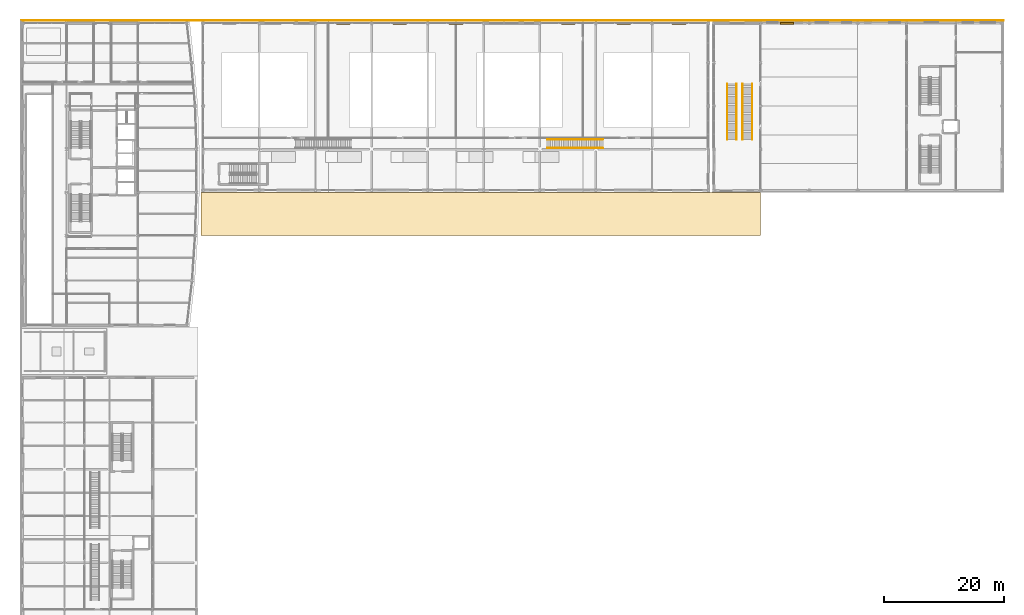
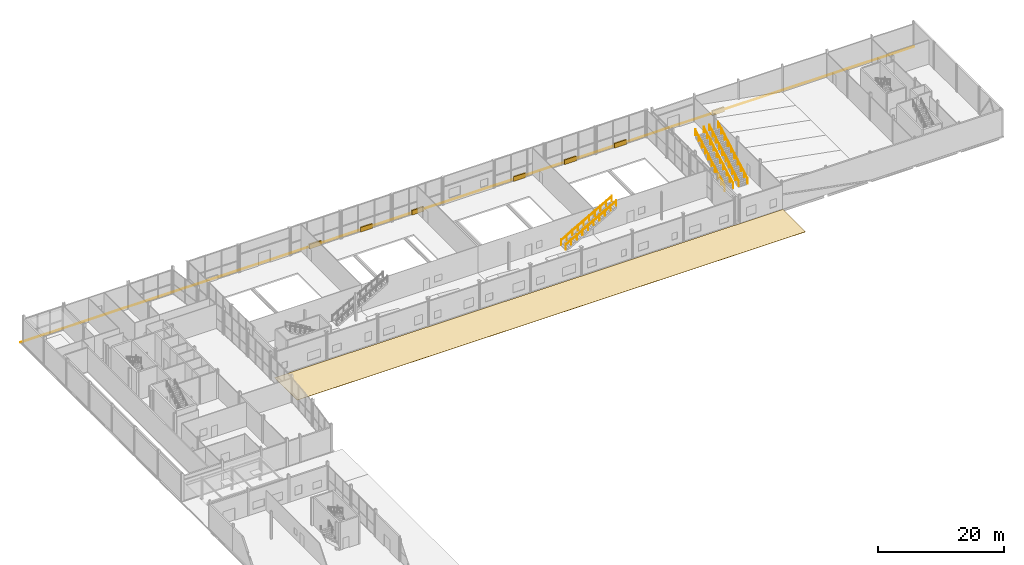
# One storey, part 82 of 83: 12 railings, 7 shading devices, 2 coverings.
"""IFC4 building model written with IfcOpenShell, lengths in metres."""

from ifc_helpers import new_model, si_unit, direction, frame, origin, origin_2d, place, context, subcontext, project, spatial, polyline, rectangle, circle, outline, extrude, material, layer, layer_set, type_object, element, save


model = new_model("IFC4")

# Units and contexts
model_context = context("Model", 3, precision=1e-05, world=origin(), true_north=direction((0.0, 1.0)))
body_context = subcontext(model_context, "Body", "Model", "MODEL_VIEW")
ifc_project = project(units=[si_unit("LENGTHUNIT", "METRE"), si_unit("AREAUNIT", "SQUARE_METRE"), si_unit("VOLUMEUNIT", "CUBIC_METRE"), si_unit("PLANEANGLEUNIT", "RADIAN"), si_unit("MASSUNIT", "GRAM", prefix="KILO")], contexts=[model_context])

# Site, building, storey
site_placement = place(None, origin())
site = spatial("IfcSite", under=ifc_project, at=site_placement, CompositionType="ELEMENT")
building_placement = place(site_placement, origin())
building = spatial("IfcBuilding", under=site, at=building_placement, Name="Quillay Park Conservatory", CompositionType="ELEMENT")
storey_placement = place(building_placement, origin())
storey = spatial("IfcBuildingStorey", under=building, at=storey_placement, Name="L00", CompositionType="ELEMENT", Elevation=0.0)

# Coverings
ifc_material_1 = material(Name="Concrete C35/45 (NCh170 Concrete C35/45)", Category="concrete")
ifc_layer = layer(ifc_material_1, 0.0400390625)
ifc_layer_set = layer_set([ifc_layer], Name="FORECOURT GRANITE PAVING 40 (Concrete C35/45 (NCh170 Concrete C35/45))")
covering_type = type_object("IfcCoveringType", Name="FORECOURT GRANITE PAVING 40", PredefinedType="FLOORING", material=ifc_layer_set)
covering_1_placement = place(storey_placement, frame((0.0, 0.0, -0.0400390625)))
element("IfcCovering", 1, at=covering_1_placement, inside=storey, type_object=covering_type, Name="L00 North Park Promenade Threshold Paving", PredefinedType="FLOORING", context=body_context, shape_type="SweptSolid", body=[
    extrude(outline(polyline([(0.25, 113.800048828125), (164.199951171875, 113.800048828125), (164.199951171875, 113.93994140625), (0.25, 113.93994140625), (0.25, 113.800048828125)])), origin(), (0.0, 0.0, 1.0), 0.0400390625),
])
covering_2_placement = place(storey_placement, frame((0.0, 0.0, -0.0400390625)))
element("IfcCovering", 2, at=covering_2_placement, inside=storey, type_object=covering_type, Name="L00 Andean Botanical Court Promenade Paving", PredefinedType="FLOORING", context=body_context, shape_type="SweptSolid", body=[
    extrude(outline(polyline([(30.300048828125, 78.0), (123.60009765625, 78.0), (123.60009765625, 85.199951171875), (30.300048828125, 85.199951171875), (30.300048828125, 78.0)])), origin(), (0.0, 0.0, 1.0), 0.0400390625),
])

# Railings
ifc_material_2 = material(Name="Steel S355J2H", Category="steel")
railing_type_1 = type_object("IfcRailingType", Name="STAIR WALL HANDRAIL 900", PredefinedType="HANDRAIL", material=ifc_material_2)
for number, where, name in (
    (3, (88.0, 92.574951171875, 0.168701171875), "ST-FT02-L00 Feature Stair Handrail L"),
    (4, (88.0, 94.02490234375, 0.168701171875), "ST-FT02-L00 Feature Stair Handrail R"),
):
    element("IfcRailing", number, at=place(storey_placement, frame(where)), inside=storey, type_object=railing_type_1, Name=name, PredefinedType="HANDRAIL", context=body_context, shape_type="SweptSolid", body=[
        extrude(circle(Radius=0.02392578125, at=origin_2d()), frame((0.0, 0.0, 0.8759765625), z_axis=(0.871578592338, 0.0, 0.490255808102), x_axis=(0.0, 1.0, 0.0)), (0.0, 0.0, 1.0), 10.67041015625),
        extrude(circle(Radius=0.02099609375, at=origin_2d()), origin(), (0.0, 0.0, 1.0), 0.851806640625),
        extrude(circle(Radius=0.02099609375, at=origin_2d()), frame((1.033447265625, 0.0, 0.581298828125)), (0.0, 0.0, 1.0), 0.851806640625),
        extrude(circle(Radius=0.02099609375, at=origin_2d()), frame((2.066650390625, 0.0, 1.16259765625)), (0.0, 0.0, 1.0), 0.851806640625),
        extrude(circle(Radius=0.02099609375, at=origin_2d()), frame((3.10009765625, 0.0, 1.74365234375)), (0.0, 0.0, 1.0), 0.851806640625),
        extrude(circle(Radius=0.02099609375, at=origin_2d()), frame((4.13330078125, 0.0, 2.324951171875)), (0.0, 0.0, 1.0), 0.851806640625),
        extrude(circle(Radius=0.02099609375, at=origin_2d()), frame((5.166748046875, 0.0, 2.90625)), (0.0, 0.0, 1.0), 0.851806640625),
        extrude(circle(Radius=0.02099609375, at=origin_2d()), frame((6.199951171875, 0.0, 3.487548828125)), (0.0, 0.0, 1.0), 0.851806640625),
        extrude(circle(Radius=0.02099609375, at=origin_2d()), frame((7.2333984375, 0.0, 4.068603515625)), (0.0, 0.0, 1.0), 0.851806640625),
        extrude(circle(Radius=0.02099609375, at=origin_2d()), frame((8.2666015625, 0.0, 4.64990234375)), (0.0, 0.0, 1.0), 0.851806640625),
        extrude(circle(Radius=0.02099609375, at=origin_2d()), frame((9.300048828125, 0.0, 5.231201171875)), (0.0, 0.0, 1.0), 0.851806640625),
    ])
for number, where, name in (
    (5, (119.574951171875, 94.0, 0.168701171875), "ST-FT05-L00 Feature Stair Handrail L"),
    (6, (118.02490234375, 94.0, 0.168701171875), "ST-FT05-L00 Feature Stair Handrail R"),
    (7, (122.199951171875, 94.0, 0.168701171875), "ST-FT06-L00 Feature Stair Handrail L"),
    (8, (120.60009765625, 94.0, 0.168701171875), "ST-FT06-L00 Feature Stair Handrail R"),
):
    element("IfcRailing", number, at=place(storey_placement, frame(where)), inside=storey, type_object=railing_type_1, Name=name, PredefinedType="HANDRAIL", context=body_context, shape_type="SweptSolid", body=[
        extrude(circle(Radius=0.02392578125, at=origin_2d()), frame((0.0, 0.0, 0.8759765625), z_axis=(0.0, 0.871578592338, 0.490255808102), x_axis=(-1.0, 0.0, 0.0)), (0.0, 0.0, 1.0), 10.67041015625),
        extrude(circle(Radius=0.02099609375, at=origin_2d()), origin(), (0.0, 0.0, 1.0), 0.851806640625),
        extrude(circle(Radius=0.02099609375, at=origin_2d()), frame((0.0, 1.033447265625, 0.581298828125)), (0.0, 0.0, 1.0), 0.851806640625),
        extrude(circle(Radius=0.02099609375, at=origin_2d()), frame((0.0, 2.066650390625, 1.16259765625)), (0.0, 0.0, 1.0), 0.851806640625),
        extrude(circle(Radius=0.02099609375, at=origin_2d()), frame((0.0, 3.10009765625, 1.74365234375)), (0.0, 0.0, 1.0), 0.851806640625),
        extrude(circle(Radius=0.02099609375, at=origin_2d()), frame((0.0, 4.13330078125, 2.324951171875)), (0.0, 0.0, 1.0), 0.851806640625),
        extrude(circle(Radius=0.02099609375, at=origin_2d()), frame((0.0, 5.166748046875, 2.90625)), (0.0, 0.0, 1.0), 0.851806640625),
        extrude(circle(Radius=0.02099609375, at=origin_2d()), frame((0.0, 6.199951171875, 3.487548828125)), (0.0, 0.0, 1.0), 0.851806640625),
        extrude(circle(Radius=0.02099609375, at=origin_2d()), frame((0.0, 7.2333984375, 4.068603515625)), (0.0, 0.0, 1.0), 0.851806640625),
        extrude(circle(Radius=0.02099609375, at=origin_2d()), frame((0.0, 8.2666015625, 4.64990234375)), (0.0, 0.0, 1.0), 0.851806640625),
        extrude(circle(Radius=0.02099609375, at=origin_2d()), frame((0.0, 9.300048828125, 5.231201171875)), (0.0, 0.0, 1.0), 0.851806640625),
    ])
ifc_material_3 = material(Name="Steel S355J2H", Category="steel")
railing_type_2 = type_object("IfcRailingType", Name="STAIR WELL GUARDRAIL 1100", PredefinedType="GUARDRAIL", material=ifc_material_3)
for number, where, name in (
    (9, (88.0, 92.574951171875, 0.168701171875), "ST-FT02-L00 Feature Stair Guardrail L"),
    (10, (88.0, 94.02490234375, 0.168701171875), "ST-FT02-L00 Feature Stair Guardrail R"),
):
    element("IfcRailing", number, at=place(storey_placement, frame(where)), inside=storey, type_object=railing_type_2, Name=name, PredefinedType="GUARDRAIL", context=body_context, shape_type="SweptSolid", body=[
        extrude(circle(Radius=0.02392578125, at=origin_2d()), frame((0.0, 0.0, 1.076171875), z_axis=(0.871578592338, 0.0, 0.490255808102), x_axis=(0.0, 1.0, 0.0)), (0.0, 0.0, 1.0), 10.67041015625),
        extrude(circle(Radius=0.02099609375, at=origin_2d()), origin(), (0.0, 0.0, 1.0), 1.052001953125),
        extrude(circle(Radius=0.02099609375, at=origin_2d()), frame((1.033447265625, 0.0, 0.581298828125)), (0.0, 0.0, 1.0), 1.052001953125),
        extrude(circle(Radius=0.02099609375, at=origin_2d()), frame((2.066650390625, 0.0, 1.16259765625)), (0.0, 0.0, 1.0), 1.052001953125),
        extrude(circle(Radius=0.02099609375, at=origin_2d()), frame((3.10009765625, 0.0, 1.74365234375)), (0.0, 0.0, 1.0), 1.052001953125),
        extrude(circle(Radius=0.02099609375, at=origin_2d()), frame((4.13330078125, 0.0, 2.324951171875)), (0.0, 0.0, 1.0), 1.052001953125),
        extrude(circle(Radius=0.02099609375, at=origin_2d()), frame((5.166748046875, 0.0, 2.90625)), (0.0, 0.0, 1.0), 1.052001953125),
        extrude(circle(Radius=0.02099609375, at=origin_2d()), frame((6.199951171875, 0.0, 3.487548828125)), (0.0, 0.0, 1.0), 1.052001953125),
        extrude(circle(Radius=0.02099609375, at=origin_2d()), frame((7.2333984375, 0.0, 4.068603515625)), (0.0, 0.0, 1.0), 1.052001953125),
        extrude(circle(Radius=0.02099609375, at=origin_2d()), frame((8.2666015625, 0.0, 4.64990234375)), (0.0, 0.0, 1.0), 1.052001953125),
        extrude(circle(Radius=0.02099609375, at=origin_2d()), frame((9.300048828125, 0.0, 5.231201171875)), (0.0, 0.0, 1.0), 1.052001953125),
    ])
for number, where, name in (
    (11, (119.574951171875, 94.0, 0.168701171875), "ST-FT05-L00 Feature Stair Guardrail L"),
    (12, (118.02490234375, 94.0, 0.168701171875), "ST-FT05-L00 Feature Stair Guardrail R"),
    (13, (122.199951171875, 94.0, 0.168701171875), "ST-FT06-L00 Feature Stair Guardrail L"),
    (14, (120.60009765625, 94.0, 0.168701171875), "ST-FT06-L00 Feature Stair Guardrail R"),
):
    element("IfcRailing", number, at=place(storey_placement, frame(where)), inside=storey, type_object=railing_type_2, Name=name, PredefinedType="GUARDRAIL", context=body_context, shape_type="SweptSolid", body=[
        extrude(circle(Radius=0.02392578125, at=origin_2d()), frame((0.0, 0.0, 1.076171875), z_axis=(0.0, 0.871578592338, 0.490255808102), x_axis=(-1.0, 0.0, 0.0)), (0.0, 0.0, 1.0), 10.67041015625),
        extrude(circle(Radius=0.02099609375, at=origin_2d()), origin(), (0.0, 0.0, 1.0), 1.052001953125),
        extrude(circle(Radius=0.02099609375, at=origin_2d()), frame((0.0, 1.033447265625, 0.581298828125)), (0.0, 0.0, 1.0), 1.052001953125),
        extrude(circle(Radius=0.02099609375, at=origin_2d()), frame((0.0, 2.066650390625, 1.16259765625)), (0.0, 0.0, 1.0), 1.052001953125),
        extrude(circle(Radius=0.02099609375, at=origin_2d()), frame((0.0, 3.10009765625, 1.74365234375)), (0.0, 0.0, 1.0), 1.052001953125),
        extrude(circle(Radius=0.02099609375, at=origin_2d()), frame((0.0, 4.13330078125, 2.324951171875)), (0.0, 0.0, 1.0), 1.052001953125),
        extrude(circle(Radius=0.02099609375, at=origin_2d()), frame((0.0, 5.166748046875, 2.90625)), (0.0, 0.0, 1.0), 1.052001953125),
        extrude(circle(Radius=0.02099609375, at=origin_2d()), frame((0.0, 6.199951171875, 3.487548828125)), (0.0, 0.0, 1.0), 1.052001953125),
        extrude(circle(Radius=0.02099609375, at=origin_2d()), frame((0.0, 7.2333984375, 4.068603515625)), (0.0, 0.0, 1.0), 1.052001953125),
        extrude(circle(Radius=0.02099609375, at=origin_2d()), frame((0.0, 8.2666015625, 4.64990234375)), (0.0, 0.0, 1.0), 1.052001953125),
        extrude(circle(Radius=0.02099609375, at=origin_2d()), frame((0.0, 9.300048828125, 5.231201171875)), (0.0, 0.0, 1.0), 1.052001953125),
    ])

# Shading devices
ifc_material_4 = material(Name="Perforated Copper-Bronze Anodised Aluminium", Category="aluminium")
shading_device_type = type_object("IfcShadingDeviceType", Name="CONSERVATORY INTAKE JALOUSIE", PredefinedType="JALOUSIE", material=ifc_material_4)
for number, where, z_axis, x_axis, name in (
    (15, (54.0, 113.39990234375, 0.0), (0.0, 0.0, 1.0), (1.0, 0.0, 0.0), "L00 Conservatory Automated Intake Louvre 02"),
    (16, (63.39990234375, 113.39990234375, 0.0), (0.0, 0.0, 1.0), (1.0, 0.0, 0.0), "L00 Conservatory Automated Intake Louvre 03"),
    (17, (72.800048828125, 113.39990234375, 0.0), (0.0, 0.0, 1.0), (1.0, 0.0, 0.0), "L00 Conservatory Automated Intake Louvre 04"),
    (18, (91.5, 113.39990234375, 0.0), (0.0, 0.0, 1.0), (1.0, 0.0, 0.0), "L00 Conservatory Automated Intake Louvre 05"),
    (19, (100.800048828125, 113.39990234375, 0.0), (0.0, 0.0, 1.0), (1.0, 0.0, 0.0), "L00 Conservatory Automated Intake Louvre 06"),
    (20, (110.0, 113.39990234375, 0.0), (0.0, 0.0, 1.0), (1.0, 0.0, 0.0), "L00 Conservatory Automated Intake Louvre 07"),
    (21, (128.0, 113.39990234375, 0.0), (0.0, 0.0, 1.0), (1.0, 0.0, 0.0), "L00 Conservatory Automated Intake Louvre 08"),
):
    element("IfcShadingDevice", number, at=place(storey_placement, frame(where, z_axis=z_axis, x_axis=x_axis)), inside=storey, type_object=shading_device_type, Name=name, PredefinedType="JALOUSIE", context=body_context, shape_type="SweptSolid", body=[
        extrude(rectangle(XDim=2.199951171875, YDim=0.280029296875, at=origin_2d()), origin(), (0.0, 0.0, 1.0), 0.89990234375),
    ])

save(model, "model.ifc")
